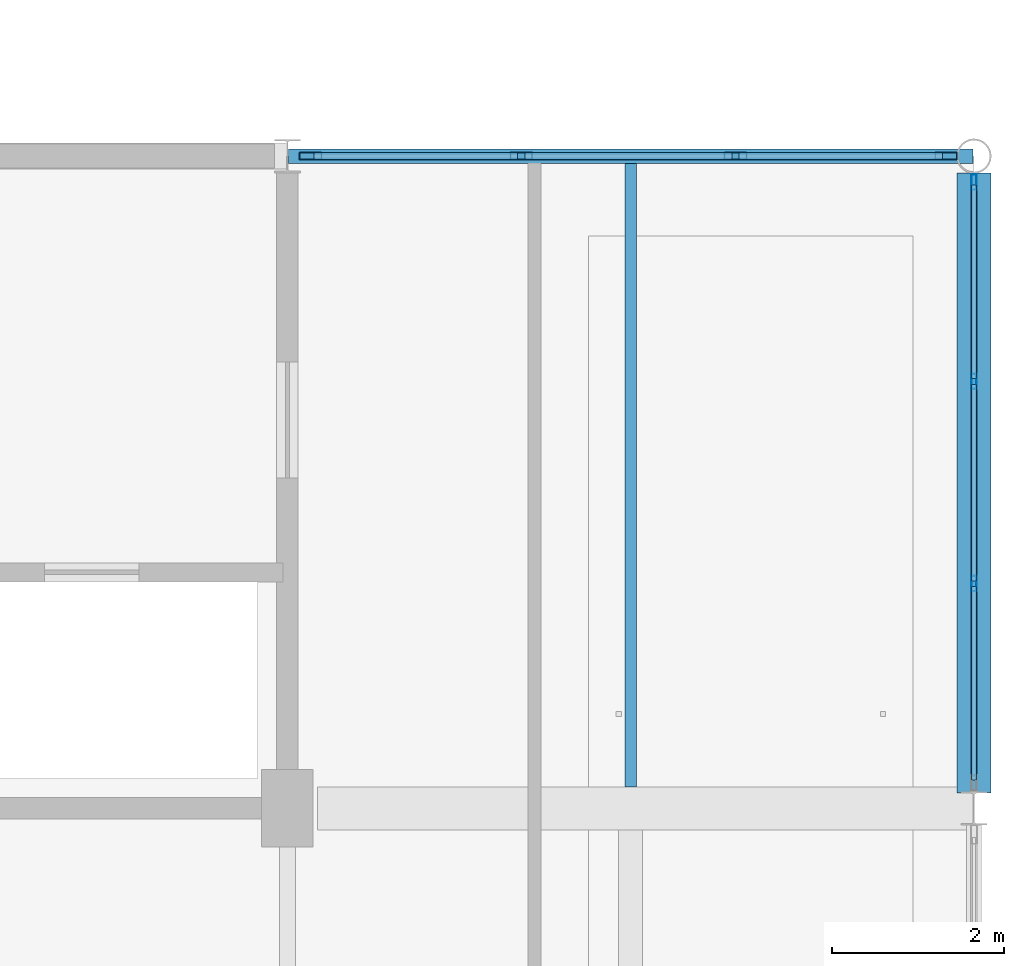
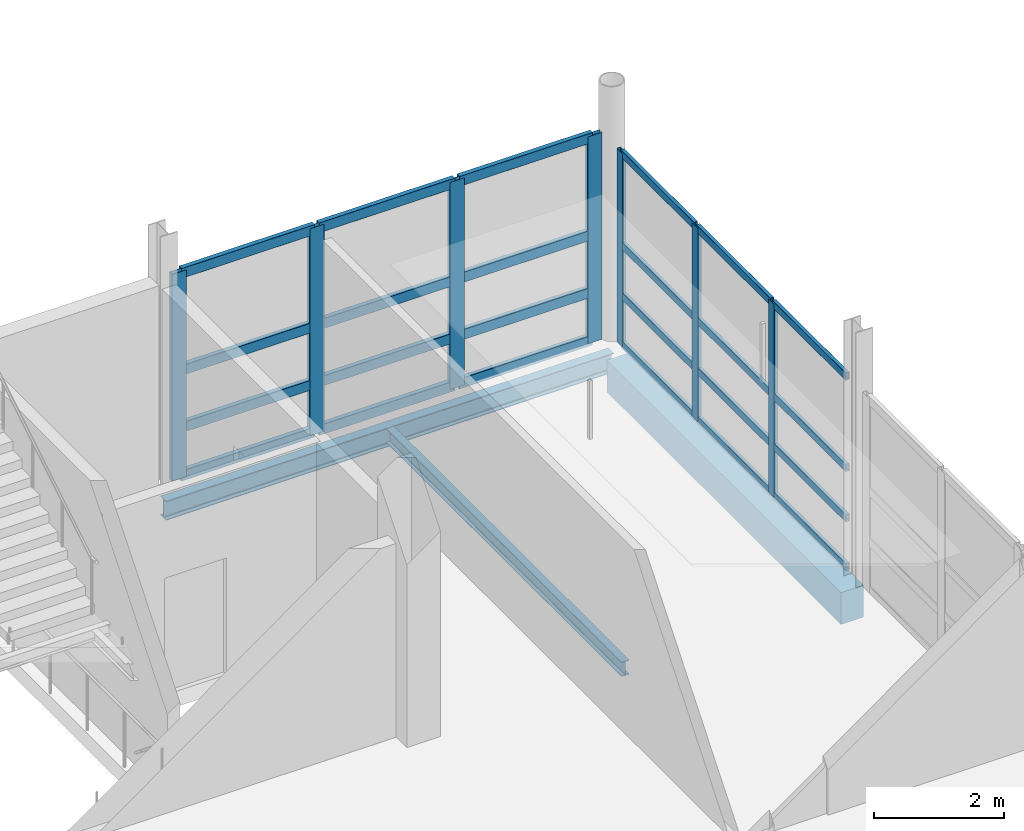
# One storey, part 53 of 147: 31 members, 3 beams, 2 elements without a shape of their own.
"""IFC4 building model written with IfcOpenShell, lengths in metres."""

from ifc_helpers import new_model, si_unit, direction, frame, origin, origin_2d, place, context, subcontext, project, spatial, rectangle, hollow_rectangle, i_section, extrude, material, material_profile, profile_set, type_object, element, aggregate, save


model = new_model("IFC4")

# Units and contexts
model_context = context("Model", 3, precision=1e-05, world=origin(), true_north=direction((0.0, 1.0)))
body_context = subcontext(model_context, "Body", "Model", "MODEL_VIEW")
ifc_project = project(units=[si_unit("LENGTHUNIT", "METRE"), si_unit("AREAUNIT", "SQUARE_METRE"), si_unit("VOLUMEUNIT", "CUBIC_METRE"), si_unit("PLANEANGLEUNIT", "RADIAN"), si_unit("MASSUNIT", "GRAM", prefix="KILO")], contexts=[model_context])

# Site, building, storey
site_placement = place(None, origin())
site = spatial("IfcSite", under=ifc_project, at=site_placement, CompositionType="ELEMENT")
building_placement = place(site_placement, origin())
building = spatial("IfcBuilding", under=site, at=building_placement, Name="Khelvaren Railside Concert Hall", CompositionType="ELEMENT")
storey_placement = place(building_placement, frame((0.0, 0.0, 5.39990234375)))
storey = spatial("IfcBuildingStorey", under=building, at=storey_placement, Name="L01", CompositionType="ELEMENT", Elevation=5.39990234375)

# Curtain wall, members
ifc_material_1 = material(Name="Acoustic laminated crystal facade glass", Category="glass")
curtain_wall_type_1 = type_object("IfcCurtainWallType", Name="CW21", PredefinedType="USERDEFINED", material=ifc_material_1)
curtain_wall_1_placement = place(storey_placement, origin())
curtain_wall_1 = element("IfcCurtainWall", 1, at=curtain_wall_1_placement, inside=storey, type_object=curtain_wall_type_1, Name="Unitised Curtain Wall CW-V2-L01-N-176", ObjectType="UNITISED CURTAIN WALL", PredefinedType="USERDEFINED")
ifc_material_2 = material(Name="Anodised architectural aluminium 6063-T6", Category="aluminium")
ifc_material_profile_1 = material_profile(ifc_material_2, hollow_rectangle(XDim=0.0849609375, YDim=0.260009765625, WallThickness=0.0048828125, InnerFilletRadius=0.0029296875, OuterFilletRadius=0.0048828125, at=origin_2d()), Name="CWM 85x260x5")
ifc_profile_set_1 = profile_set([ifc_material_profile_1], Name="Anodised architectural aluminium 6063-T6")
member_type_1 = type_object("IfcMemberType", Name="CWM40", PredefinedType="MULLION", material=ifc_profile_set_1)
member_1_placement = place(storey_placement, frame((176.27001953125, 38.0, 0.0), z_axis=(0.0, 0.0, 1.0), x_axis=(0.0, 1.0, 0.0)))
member_1 = element("IfcMember", 2, at=member_1_placement, type_object=member_type_1, Name="CW21 mullion 1", PredefinedType="MULLION", context=body_context, shape_type="SweptSolid", body=[
    extrude(hollow_rectangle(XDim=0.0849609375, YDim=0.260009765625, WallThickness=0.0048828125, InnerFilletRadius=0.0029296875, OuterFilletRadius=0.0048828125, at=origin_2d()), origin(), (0.0, 0.0, 1.0), 3.900146484375),
])
member_2_placement = place(storey_placement, frame((178.724853515625, 38.0, 0.0), z_axis=(0.0, 0.0, 1.0), x_axis=(0.0, 1.0, 0.0)))
member_2 = element("IfcMember", 3, at=member_2_placement, type_object=member_type_1, Name="CW21 mullion 2", PredefinedType="MULLION", context=body_context, shape_type="SweptSolid", body=[
    extrude(hollow_rectangle(XDim=0.0849609375, YDim=0.260009765625, WallThickness=0.0048828125, InnerFilletRadius=0.0029296875, OuterFilletRadius=0.0048828125, at=origin_2d()), origin(), (0.0, 0.0, 1.0), 3.900146484375),
])
member_3_placement = place(storey_placement, frame((181.221923828125, 38.0, 0.0), z_axis=(0.0, 0.0, 1.0), x_axis=(0.0, 1.0, 0.0)))
member_3 = element("IfcMember", 4, at=member_3_placement, type_object=member_type_1, Name="CW21 mullion 3", PredefinedType="MULLION", context=body_context, shape_type="SweptSolid", body=[
    extrude(hollow_rectangle(XDim=0.0849609375, YDim=0.260009765625, WallThickness=0.0048828125, InnerFilletRadius=0.0029296875, OuterFilletRadius=0.0048828125, at=origin_2d()), origin(), (0.0, 0.0, 1.0), 3.900146484375),
])
member_4_placement = place(storey_placement, frame((183.6767578125, 38.0, 0.0), z_axis=(0.0, 0.0, 1.0), x_axis=(0.0, 1.0, 0.0)))
member_4 = element("IfcMember", 5, at=member_4_placement, type_object=member_type_1, Name="CW21 mullion 4", PredefinedType="MULLION", context=body_context, shape_type="SweptSolid", body=[
    extrude(hollow_rectangle(XDim=0.0849609375, YDim=0.260009765625, WallThickness=0.0048828125, InnerFilletRadius=0.0029296875, OuterFilletRadius=0.0048828125, at=origin_2d()), origin(), (0.0, 0.0, 1.0), 3.900146484375),
])

ifc_material_3 = material(Name="Double-glazed low-E dark acoustic glass", Category="glass")
curtain_wall_type_2 = type_object("IfcCurtainWallType", Name="CW65", PredefinedType="USERDEFINED", material=ifc_material_3)
curtain_wall_2_placement = place(storey_placement, origin())
curtain_wall_2 = element("IfcCurtainWall", 6, at=curtain_wall_2_placement, inside=storey, type_object=curtain_wall_type_2, Name="Unitised Curtain Wall CW-V2-L01-E-30", ObjectType="UNITISED CURTAIN WALL", PredefinedType="USERDEFINED")
ifc_material_profile_2 = material_profile(ifc_material_2, hollow_rectangle(XDim=0.06494140625, YDim=0.179931640625, WallThickness=0.00390625, InnerFilletRadius=0.001953125, OuterFilletRadius=0.00390625, at=origin_2d()), Name="CWM 65x180x4")
ifc_profile_set_2 = profile_set([ifc_material_profile_2], Name="Anodised architectural aluminium 6063-T6")
member_type_2 = type_object("IfcMemberType", Name="CWM63", PredefinedType="MULLION", material=ifc_profile_set_2)
member_5_placement = place(storey_placement, frame((184.0, 37.69677734375, 0.0), z_axis=(0.0, 0.0, 1.0), x_axis=(1.0, 0.0, 0.0)))
member_5 = element("IfcMember", 7, at=member_5_placement, type_object=member_type_2, Name="CW65 mullion 1", PredefinedType="MULLION", context=body_context, shape_type="SweptSolid", body=[
    extrude(hollow_rectangle(XDim=0.06494140625, YDim=0.179931640625, WallThickness=0.00390625, InnerFilletRadius=0.001953125, OuterFilletRadius=0.00390625, at=origin_2d()), origin(), (0.0, 0.0, 1.0), 3.650146484375),
])
member_6_placement = place(storey_placement, frame((184.0, 35.373779296875, 0.0), z_axis=(0.0, 0.0, 1.0), x_axis=(1.0, 0.0, 0.0)))
member_6 = element("IfcMember", 8, at=member_6_placement, type_object=member_type_2, Name="CW65 mullion 2", PredefinedType="MULLION", context=body_context, shape_type="SweptSolid", body=[
    extrude(hollow_rectangle(XDim=0.06494140625, YDim=0.179931640625, WallThickness=0.00390625, InnerFilletRadius=0.001953125, OuterFilletRadius=0.00390625, at=origin_2d()), origin(), (0.0, 0.0, 1.0), 3.650146484375),
])
member_7_placement = place(storey_placement, frame((184.0, 33.01806640625, 0.0), z_axis=(0.0, 0.0, 1.0), x_axis=(1.0, 0.0, 0.0)))
member_7 = element("IfcMember", 9, at=member_7_placement, type_object=member_type_2, Name="CW65 mullion 3", PredefinedType="MULLION", context=body_context, shape_type="SweptSolid", body=[
    extrude(hollow_rectangle(XDim=0.06494140625, YDim=0.179931640625, WallThickness=0.00390625, InnerFilletRadius=0.001953125, OuterFilletRadius=0.00390625, at=origin_2d()), origin(), (0.0, 0.0, 1.0), 3.650146484375),
])

# Member
ifc_material_profile_3 = material_profile(ifc_material_2, hollow_rectangle(XDim=0.0849609375, YDim=0.18994140625, WallThickness=0.0048828125, InnerFilletRadius=0.0029296875, OuterFilletRadius=0.0048828125, at=origin_2d()), Name="CWT 85x190x5")
ifc_profile_set_3 = profile_set([ifc_material_profile_3], Name="Anodised architectural aluminium 6063-T6")
member_type_3 = type_object("IfcMemberType", Name="CWT31", PredefinedType="USERDEFINED", material=ifc_profile_set_3)
member_8_placement = place(storey_placement, frame((176.3125, 38.0, 0.04248046875), z_axis=(1.0, 0.0, 0.0), x_axis=(0.0, 1.0, 0.0)))
member_8 = element("IfcMember", 10, at=member_8_placement, type_object=member_type_3, Name="CW21 transom 1.1", ObjectType="TRANSOM", PredefinedType="USERDEFINED", context=body_context, shape_type="SweptSolid", body=[
    extrude(hollow_rectangle(XDim=0.0849609375, YDim=0.18994140625, WallThickness=0.0048828125, InnerFilletRadius=0.0029296875, OuterFilletRadius=0.0048828125, at=origin_2d()), origin(), (0.0, 0.0, 1.0), 2.369873046875),
])

member_9_placement = place(storey_placement, frame((176.3125, 38.0, 0.9501953125), z_axis=(1.0, 0.0, 0.0), x_axis=(0.0, 1.0, 0.0)))
member_9 = element("IfcMember", 11, at=member_9_placement, type_object=member_type_3, Name="CW21 transom 1.2", ObjectType="TRANSOM", PredefinedType="USERDEFINED", context=body_context, shape_type="SweptSolid", body=[
    extrude(hollow_rectangle(XDim=0.0849609375, YDim=0.18994140625, WallThickness=0.0048828125, InnerFilletRadius=0.0029296875, OuterFilletRadius=0.0048828125, at=origin_2d()), origin(), (0.0, 0.0, 1.0), 2.369873046875),
])

member_10_placement = place(storey_placement, frame((176.3125, 38.0, 2.028076171875), z_axis=(1.0, 0.0, 0.0), x_axis=(0.0, 1.0, 0.0)))
member_10 = element("IfcMember", 12, at=member_10_placement, type_object=member_type_3, Name="CW21 transom 1.3", ObjectType="TRANSOM", PredefinedType="USERDEFINED", context=body_context, shape_type="SweptSolid", body=[
    extrude(hollow_rectangle(XDim=0.0849609375, YDim=0.18994140625, WallThickness=0.0048828125, InnerFilletRadius=0.0029296875, OuterFilletRadius=0.0048828125, at=origin_2d()), origin(), (0.0, 0.0, 1.0), 2.369873046875),
])

member_11_placement = place(storey_placement, frame((176.3125, 38.0, 3.857666015625), z_axis=(1.0, 0.0, 0.0), x_axis=(0.0, 1.0, 0.0)))
member_11 = element("IfcMember", 13, at=member_11_placement, type_object=member_type_3, Name="CW21 transom 1.4", ObjectType="TRANSOM", PredefinedType="USERDEFINED", context=body_context, shape_type="SweptSolid", body=[
    extrude(hollow_rectangle(XDim=0.0849609375, YDim=0.18994140625, WallThickness=0.0048828125, InnerFilletRadius=0.0029296875, OuterFilletRadius=0.0048828125, at=origin_2d()), origin(), (0.0, 0.0, 1.0), 2.369873046875),
])

member_12_placement = place(storey_placement, frame((178.767333984375, 38.0, 0.04248046875), z_axis=(1.0, 0.0, 0.0), x_axis=(0.0, 1.0, 0.0)))
member_12 = element("IfcMember", 14, at=member_12_placement, type_object=member_type_3, Name="CW21 transom 2.1", ObjectType="TRANSOM", PredefinedType="USERDEFINED", context=body_context, shape_type="SweptSolid", body=[
    extrude(hollow_rectangle(XDim=0.0849609375, YDim=0.18994140625, WallThickness=0.0048828125, InnerFilletRadius=0.0029296875, OuterFilletRadius=0.0048828125, at=origin_2d()), origin(), (0.0, 0.0, 1.0), 2.412109375),
])

member_13_placement = place(storey_placement, frame((178.767333984375, 38.0, 0.9501953125), z_axis=(1.0, 0.0, 0.0), x_axis=(0.0, 1.0, 0.0)))
member_13 = element("IfcMember", 15, at=member_13_placement, type_object=member_type_3, Name="CW21 transom 2.2", ObjectType="TRANSOM", PredefinedType="USERDEFINED", context=body_context, shape_type="SweptSolid", body=[
    extrude(hollow_rectangle(XDim=0.0849609375, YDim=0.18994140625, WallThickness=0.0048828125, InnerFilletRadius=0.0029296875, OuterFilletRadius=0.0048828125, at=origin_2d()), origin(), (0.0, 0.0, 1.0), 2.412109375),
])

member_14_placement = place(storey_placement, frame((178.767333984375, 38.0, 2.028076171875), z_axis=(1.0, 0.0, 0.0), x_axis=(0.0, 1.0, 0.0)))
member_14 = element("IfcMember", 16, at=member_14_placement, type_object=member_type_3, Name="CW21 transom 2.3", ObjectType="TRANSOM", PredefinedType="USERDEFINED", context=body_context, shape_type="SweptSolid", body=[
    extrude(hollow_rectangle(XDim=0.0849609375, YDim=0.18994140625, WallThickness=0.0048828125, InnerFilletRadius=0.0029296875, OuterFilletRadius=0.0048828125, at=origin_2d()), origin(), (0.0, 0.0, 1.0), 2.412109375),
])

member_15_placement = place(storey_placement, frame((178.767333984375, 38.0, 3.857666015625), z_axis=(1.0, 0.0, 0.0), x_axis=(0.0, 1.0, 0.0)))
member_15 = element("IfcMember", 17, at=member_15_placement, type_object=member_type_3, Name="CW21 transom 2.4", ObjectType="TRANSOM", PredefinedType="USERDEFINED", context=body_context, shape_type="SweptSolid", body=[
    extrude(hollow_rectangle(XDim=0.0849609375, YDim=0.18994140625, WallThickness=0.0048828125, InnerFilletRadius=0.0029296875, OuterFilletRadius=0.0048828125, at=origin_2d()), origin(), (0.0, 0.0, 1.0), 2.412109375),
])

member_16_placement = place(storey_placement, frame((181.2646484375, 38.0, 0.04248046875), z_axis=(1.0, 0.0, 0.0), x_axis=(0.0, 1.0, 0.0)))
member_16 = element("IfcMember", 18, at=member_16_placement, type_object=member_type_3, Name="CW21 transom 3.1", ObjectType="TRANSOM", PredefinedType="USERDEFINED", context=body_context, shape_type="SweptSolid", body=[
    extrude(hollow_rectangle(XDim=0.0849609375, YDim=0.18994140625, WallThickness=0.0048828125, InnerFilletRadius=0.0029296875, OuterFilletRadius=0.0048828125, at=origin_2d()), origin(), (0.0, 0.0, 1.0), 2.36962890625),
])

member_17_placement = place(storey_placement, frame((181.2646484375, 38.0, 0.9501953125), z_axis=(1.0, 0.0, 0.0), x_axis=(0.0, 1.0, 0.0)))
member_17 = element("IfcMember", 19, at=member_17_placement, type_object=member_type_3, Name="CW21 transom 3.2", ObjectType="TRANSOM", PredefinedType="USERDEFINED", context=body_context, shape_type="SweptSolid", body=[
    extrude(hollow_rectangle(XDim=0.0849609375, YDim=0.18994140625, WallThickness=0.0048828125, InnerFilletRadius=0.0029296875, OuterFilletRadius=0.0048828125, at=origin_2d()), origin(), (0.0, 0.0, 1.0), 2.36962890625),
])

member_18_placement = place(storey_placement, frame((181.2646484375, 38.0, 2.028076171875), z_axis=(1.0, 0.0, 0.0), x_axis=(0.0, 1.0, 0.0)))
member_18 = element("IfcMember", 20, at=member_18_placement, type_object=member_type_3, Name="CW21 transom 3.3", ObjectType="TRANSOM", PredefinedType="USERDEFINED", context=body_context, shape_type="SweptSolid", body=[
    extrude(hollow_rectangle(XDim=0.0849609375, YDim=0.18994140625, WallThickness=0.0048828125, InnerFilletRadius=0.0029296875, OuterFilletRadius=0.0048828125, at=origin_2d()), origin(), (0.0, 0.0, 1.0), 2.36962890625),
])

member_19_placement = place(storey_placement, frame((181.2646484375, 38.0, 3.857666015625), z_axis=(1.0, 0.0, 0.0), x_axis=(0.0, 1.0, 0.0)))
member_19 = element("IfcMember", 21, at=member_19_placement, type_object=member_type_3, Name="CW21 transom 3.4", ObjectType="TRANSOM", PredefinedType="USERDEFINED", context=body_context, shape_type="SweptSolid", body=[
    extrude(hollow_rectangle(XDim=0.0849609375, YDim=0.18994140625, WallThickness=0.0048828125, InnerFilletRadius=0.0029296875, OuterFilletRadius=0.0048828125, at=origin_2d()), origin(), (0.0, 0.0, 1.0), 2.36962890625),
])

aggregate(curtain_wall_1, [member_1, member_2, member_3, member_4, member_8, member_9, member_10, member_11, member_12, member_13, member_14, member_15, member_16, member_17, member_18, member_19])

ifc_material_profile_4 = material_profile(ifc_material_2, hollow_rectangle(XDim=0.06494140625, YDim=0.139892578125, WallThickness=0.00390625, InnerFilletRadius=0.001953125, OuterFilletRadius=0.00390625, at=origin_2d()), Name="CWT 65x140x4")
ifc_profile_set_4 = profile_set([ifc_material_profile_4], Name="Anodised architectural aluminium 6063-T6")
member_type_4 = type_object("IfcMemberType", Name="CWT72", PredefinedType="USERDEFINED", material=ifc_profile_set_4)
member_20_placement = place(storey_placement, frame((184.0, 37.664306640625, 0.03271484375), z_axis=(0.0, -1.0, 0.0), x_axis=(1.0, 0.0, 0.0)))
member_20 = element("IfcMember", 22, at=member_20_placement, type_object=member_type_4, Name="CW65 transom 1.1", ObjectType="TRANSOM", PredefinedType="USERDEFINED", context=body_context, shape_type="SweptSolid", body=[
    extrude(hollow_rectangle(XDim=0.06494140625, YDim=0.139892578125, WallThickness=0.00390625, InnerFilletRadius=0.001953125, OuterFilletRadius=0.00390625, at=origin_2d()), origin(), (0.0, 0.0, 1.0), 2.258056640625),
])

member_21_placement = place(storey_placement, frame((184.0, 37.664306640625, 0.9501953125), z_axis=(0.0, -1.0, 0.0), x_axis=(1.0, 0.0, 0.0)))
member_21 = element("IfcMember", 23, at=member_21_placement, type_object=member_type_4, Name="CW65 transom 1.2", ObjectType="TRANSOM", PredefinedType="USERDEFINED", context=body_context, shape_type="SweptSolid", body=[
    extrude(hollow_rectangle(XDim=0.06494140625, YDim=0.139892578125, WallThickness=0.00390625, InnerFilletRadius=0.001953125, OuterFilletRadius=0.00390625, at=origin_2d()), origin(), (0.0, 0.0, 1.0), 2.258056640625),
])

member_22_placement = place(storey_placement, frame((184.0, 37.664306640625, 1.898193359375), z_axis=(0.0, -1.0, 0.0), x_axis=(1.0, 0.0, 0.0)))
member_22 = element("IfcMember", 24, at=member_22_placement, type_object=member_type_4, Name="CW65 transom 1.3", ObjectType="TRANSOM", PredefinedType="USERDEFINED", context=body_context, shape_type="SweptSolid", body=[
    extrude(hollow_rectangle(XDim=0.06494140625, YDim=0.139892578125, WallThickness=0.00390625, InnerFilletRadius=0.001953125, OuterFilletRadius=0.00390625, at=origin_2d()), origin(), (0.0, 0.0, 1.0), 2.258056640625),
])

member_23_placement = place(storey_placement, frame((184.0, 37.664306640625, 3.61767578125), z_axis=(0.0, -1.0, 0.0), x_axis=(1.0, 0.0, 0.0)))
member_23 = element("IfcMember", 25, at=member_23_placement, type_object=member_type_4, Name="CW65 transom 1.4", ObjectType="TRANSOM", PredefinedType="USERDEFINED", context=body_context, shape_type="SweptSolid", body=[
    extrude(hollow_rectangle(XDim=0.06494140625, YDim=0.139892578125, WallThickness=0.00390625, InnerFilletRadius=0.001953125, OuterFilletRadius=0.00390625, at=origin_2d()), origin(), (0.0, 0.0, 1.0), 2.258056640625),
])

member_24_placement = place(storey_placement, frame((184.0, 35.34130859375, 0.03271484375), z_axis=(0.0, -1.0, 0.0), x_axis=(1.0, 0.0, 0.0)))
member_24 = element("IfcMember", 26, at=member_24_placement, type_object=member_type_4, Name="CW65 transom 2.1", ObjectType="TRANSOM", PredefinedType="USERDEFINED", context=body_context, shape_type="SweptSolid", body=[
    extrude(hollow_rectangle(XDim=0.06494140625, YDim=0.139892578125, WallThickness=0.00390625, InnerFilletRadius=0.001953125, OuterFilletRadius=0.00390625, at=origin_2d()), origin(), (0.0, 0.0, 1.0), 2.290771484375),
])

member_25_placement = place(storey_placement, frame((184.0, 35.34130859375, 0.9501953125), z_axis=(0.0, -1.0, 0.0), x_axis=(1.0, 0.0, 0.0)))
member_25 = element("IfcMember", 27, at=member_25_placement, type_object=member_type_4, Name="CW65 transom 2.2", ObjectType="TRANSOM", PredefinedType="USERDEFINED", context=body_context, shape_type="SweptSolid", body=[
    extrude(hollow_rectangle(XDim=0.06494140625, YDim=0.139892578125, WallThickness=0.00390625, InnerFilletRadius=0.001953125, OuterFilletRadius=0.00390625, at=origin_2d()), origin(), (0.0, 0.0, 1.0), 2.290771484375),
])

member_26_placement = place(storey_placement, frame((184.0, 35.34130859375, 1.898193359375), z_axis=(0.0, -1.0, 0.0), x_axis=(1.0, 0.0, 0.0)))
member_26 = element("IfcMember", 28, at=member_26_placement, type_object=member_type_4, Name="CW65 transom 2.3", ObjectType="TRANSOM", PredefinedType="USERDEFINED", context=body_context, shape_type="SweptSolid", body=[
    extrude(hollow_rectangle(XDim=0.06494140625, YDim=0.139892578125, WallThickness=0.00390625, InnerFilletRadius=0.001953125, OuterFilletRadius=0.00390625, at=origin_2d()), origin(), (0.0, 0.0, 1.0), 2.290771484375),
])

member_27_placement = place(storey_placement, frame((184.0, 35.34130859375, 3.61767578125), z_axis=(0.0, -1.0, 0.0), x_axis=(1.0, 0.0, 0.0)))
member_27 = element("IfcMember", 29, at=member_27_placement, type_object=member_type_4, Name="CW65 transom 2.4", ObjectType="TRANSOM", PredefinedType="USERDEFINED", context=body_context, shape_type="SweptSolid", body=[
    extrude(hollow_rectangle(XDim=0.06494140625, YDim=0.139892578125, WallThickness=0.00390625, InnerFilletRadius=0.001953125, OuterFilletRadius=0.00390625, at=origin_2d()), origin(), (0.0, 0.0, 1.0), 2.290771484375),
])

member_28_placement = place(storey_placement, frame((184.0, 32.985595703125, 0.03271484375), z_axis=(0.0, -1.0, 0.0), x_axis=(1.0, 0.0, 0.0)))
member_28 = element("IfcMember", 30, at=member_28_placement, type_object=member_type_4, Name="CW65 transom 3.1", ObjectType="TRANSOM", PredefinedType="USERDEFINED", context=body_context, shape_type="SweptSolid", body=[
    extrude(hollow_rectangle(XDim=0.06494140625, YDim=0.139892578125, WallThickness=0.00390625, InnerFilletRadius=0.001953125, OuterFilletRadius=0.00390625, at=origin_2d()), origin(), (0.0, 0.0, 1.0), 2.258056640625),
])

member_29_placement = place(storey_placement, frame((184.0, 32.985595703125, 0.9501953125), z_axis=(0.0, -1.0, 0.0), x_axis=(1.0, 0.0, 0.0)))
member_29 = element("IfcMember", 31, at=member_29_placement, type_object=member_type_4, Name="CW65 transom 3.2", ObjectType="TRANSOM", PredefinedType="USERDEFINED", context=body_context, shape_type="SweptSolid", body=[
    extrude(hollow_rectangle(XDim=0.06494140625, YDim=0.139892578125, WallThickness=0.00390625, InnerFilletRadius=0.001953125, OuterFilletRadius=0.00390625, at=origin_2d()), origin(), (0.0, 0.0, 1.0), 2.258056640625),
])

member_30_placement = place(storey_placement, frame((184.0, 32.985595703125, 1.898193359375), z_axis=(0.0, -1.0, 0.0), x_axis=(1.0, 0.0, 0.0)))
member_30 = element("IfcMember", 32, at=member_30_placement, type_object=member_type_4, Name="CW65 transom 3.3", ObjectType="TRANSOM", PredefinedType="USERDEFINED", context=body_context, shape_type="SweptSolid", body=[
    extrude(hollow_rectangle(XDim=0.06494140625, YDim=0.139892578125, WallThickness=0.00390625, InnerFilletRadius=0.001953125, OuterFilletRadius=0.00390625, at=origin_2d()), origin(), (0.0, 0.0, 1.0), 2.258056640625),
])

member_31_placement = place(storey_placement, frame((184.0, 32.985595703125, 3.61767578125), z_axis=(0.0, -1.0, 0.0), x_axis=(1.0, 0.0, 0.0)))
member_31 = element("IfcMember", 33, at=member_31_placement, type_object=member_type_4, Name="CW65 transom 3.4", ObjectType="TRANSOM", PredefinedType="USERDEFINED", context=body_context, shape_type="SweptSolid", body=[
    extrude(hollow_rectangle(XDim=0.06494140625, YDim=0.139892578125, WallThickness=0.00390625, InnerFilletRadius=0.001953125, OuterFilletRadius=0.00390625, at=origin_2d()), origin(), (0.0, 0.0, 1.0), 2.258056640625),
])

aggregate(curtain_wall_2, [member_5, member_6, member_7, member_20, member_21, member_22, member_23, member_24, member_25, member_26, member_27, member_28, member_29, member_30, member_31])

# Beams
ifc_material_4 = material(Name="Steel S355", Category="steel")
ifc_material_profile_5 = material_profile(ifc_material_4, i_section(OverallWidth=0.135009765625, OverallDepth=0.27001953125, WebThickness=0.006591796875, FlangeThickness=0.01025390625, FilletRadius=0.014892578125, at=origin_2d()), Name="IPE 270")
ifc_profile_set_5 = profile_set([ifc_material_profile_5], Name="Steel S355")
beam_type_1 = type_object("IfcBeamType", Name="JS78", PredefinedType="JOIST", material=ifc_profile_set_5)
beam_1_placement = place(storey_placement, frame((180.0, 30.64990234375, -0.434814453125), z_axis=(0.0, 1.0, 0.0), x_axis=(-1.0, 0.0, 0.0)))
element("IfcBeam", 34, at=beam_1_placement, inside=storey, type_object=beam_type_1, Name="V2 L01 Secondary Joist 5.5", PredefinedType="JOIST", context=body_context, shape_type="SweptSolid", body=[
    extrude(i_section(OverallWidth=0.135009765625, OverallDepth=0.27001953125, WebThickness=0.006591796875, FlangeThickness=0.01025390625, FilletRadius=0.014892578125, at=origin_2d()), origin(), (0.0, 0.0, 1.0), 7.26513671875),
])
ifc_material_profile_6 = material_profile(ifc_material_4, i_section(OverallWidth=0.169921875, OverallDepth=0.360107421875, WebThickness=0.008056640625, FlangeThickness=0.0126953125, FilletRadius=0.01806640625, at=origin_2d()), Name="IPE 360")
ifc_profile_set_6 = profile_set([ifc_material_profile_6], Name="Steel S355")
beam_type_2 = type_object("IfcBeamType", Name="SP74", PredefinedType="SPANDREL", material=ifc_profile_set_6)
beam_2_placement = place(storey_placement, frame((176.010009765625, 38.0, -0.47998046875), z_axis=(1.0, 0.0, 0.0), x_axis=(0.0, 1.0, 0.0)))
element("IfcBeam", 35, at=beam_2_placement, inside=storey, type_object=beam_type_2, Name="V2 L01 Spandrel X6.5", PredefinedType="SPANDREL", context=body_context, shape_type="SweptSolid", body=[
    extrude(i_section(OverallWidth=0.169921875, OverallDepth=0.360107421875, WebThickness=0.008056640625, FlangeThickness=0.0126953125, FilletRadius=0.01806640625, at=origin_2d()), origin(), (0.0, 0.0, 1.0), 7.97998046875),
])
ifc_material_5 = material(Name="Concrete C40/50", Category="concrete")
ifc_material_profile_7 = material_profile(ifc_material_5, rectangle(XDim=0.39990234375, YDim=0.60009765625, at=origin_2d()), Name="RCB 400x600")
ifc_profile_set_7 = profile_set([ifc_material_profile_7], Name="Concrete C40/50")
beam_type_3 = type_object("IfcBeamType", Name="SP75", PredefinedType="SPANDREL", material=ifc_profile_set_7)
beam_3_placement = place(storey_placement, frame((184.0, 30.580078125, -0.599853515625), z_axis=(0.0, 1.0, 0.0), x_axis=(-1.0, 0.0, 0.0)))
element("IfcBeam", 36, at=beam_3_placement, inside=storey, type_object=beam_type_3, Name="V2 L01 Spandrel Y6.5", PredefinedType="SPANDREL", context=body_context, shape_type="SweptSolid", body=[
    extrude(rectangle(XDim=0.39990234375, YDim=0.60009765625, at=origin_2d()), origin(), (0.0, 0.0, 1.0), 7.224853515625),
])

save(model, "model.ifc")
